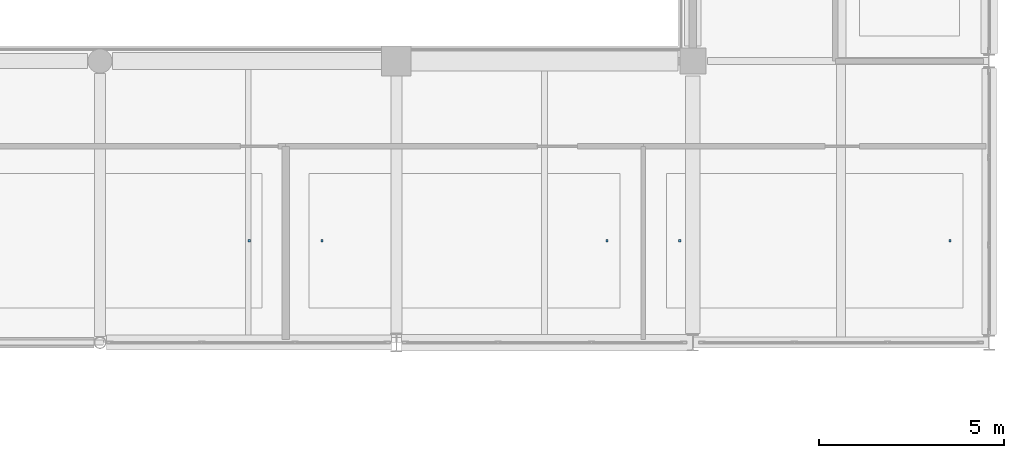
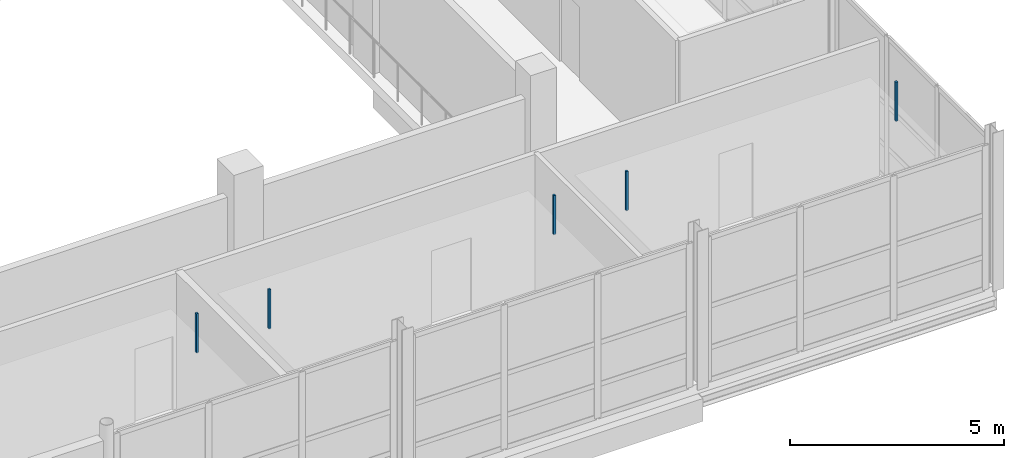
# One storey, part 86 of 107: 5 discrete accessories.
"""IFC4 building model written with IfcOpenShell, lengths in metres."""

import ifcopenshell
import ifcopenshell.guid

model = None  # the IFC model being written
_history = None  # IfcOwnerHistory: only IFC2X3 demands one
_inside = {}  # id of a spatial element -> (the spatial element, [elements in it])
_under = {}  # id of a project, library or spatial element -> (it, [spatial elements below it])
_declared = {}  # id of a project -> (the project, [libraries it declares])
_typed = {}  # id of a type object -> (the type object, [elements of that type])
_made_of = {}  # id of a material, layer set ... -> (it, [elements and type objects made of it])


def new_model(schema):
    """Start an empty IFC model of exactly this schema.

    Asked for "IFC4X3", IfcOpenShell would pick the latest addendum, in which some entities
    have other attributes; the version numbers below select the first issue.
    IFC2X3 requires an IfcOwnerHistory on every rooted entity: one is made here for all.
    """
    global model, _history
    if schema == "IFC4X3":
        model = ifcopenshell.file(schema_version=(4, 3, 0, 0))
    else:
        model = ifcopenshell.file(schema=schema)
    _inside.clear()
    _under.clear()
    _declared.clear()
    _typed.clear()
    _made_of.clear()
    _history = None
    if model.schema == "IFC2X3":
        org = make("IfcOrganization", Name="unknown")
        user = make(
            "IfcPersonAndOrganization",
            ThePerson=make("IfcPerson", FamilyName="unknown"),
            TheOrganization=org,
        )
        app = make(
            "IfcApplication",
            ApplicationDeveloper=org,
            Version="unknown",
            ApplicationFullName="unknown",
            ApplicationIdentifier="unknown",
        )
        _history = make(
            "IfcOwnerHistory",
            OwningUser=user,
            OwningApplication=app,
            ChangeAction="ADDED",
            CreationDate=0,
        )
    return model


def make(cls, **values):
    """One entity of the class cls with the attributes given. An attribute that is None is left unset."""
    return model.create_entity(
        cls, **{name: value for name, value in values.items() if value is not None}
    )


def rooted(cls, **values):
    """An entity with a GlobalId (a new one), such as an element, a storey or a relation."""
    return make(cls, GlobalId=ifcopenshell.guid.new(), OwnerHistory=_history, **values)


def si_unit(unit_type, name, prefix=None):
    """IfcSIUnit, for example si_unit("LENGTHUNIT", "METRE", prefix="MILLI")."""
    return make("IfcSIUnit", UnitType=unit_type, Prefix=prefix, Name=name)


def assignment(units):
    """IfcUnitAssignment: the units of a project."""
    return None if units is None else make("IfcUnitAssignment", Units=units)


def point(xyz):
    """IfcCartesianPoint."""
    return None if xyz is None else make("IfcCartesianPoint", Coordinates=xyz)


def direction(xyz):
    """IfcDirection."""
    return None if xyz is None else make("IfcDirection", DirectionRatios=xyz)


def frame(location, z_axis=None, x_axis=None):
    """IfcAxis2Placement3D, a coordinate frame: its origin and axes. An axis left out is left unset."""
    return make(
        "IfcAxis2Placement3D",
        Location=point(location),
        Axis=direction(z_axis),
        RefDirection=direction(x_axis),
    )


def frame_2d(location, x_axis=None):
    """IfcAxis2Placement2D, a coordinate frame in the plane: its origin and x axis."""
    return make(
        "IfcAxis2Placement2D", Location=point(location), RefDirection=direction(x_axis)
    )


def origin():
    """The frame at (0, 0, 0) with its axes left unset."""
    return frame((0.0, 0.0, 0.0))


def origin_2d():
    """The frame at (0, 0) in the plane with its x axis left unset."""
    return frame_2d((0.0, 0.0))


def place(relative_to, where):
    """IfcLocalPlacement: puts the frame where relative to a parent placement (None: the world)."""
    return make(
        "IfcLocalPlacement", PlacementRelTo=relative_to, RelativePlacement=where
    )


def context(
    kind, dimensions, precision=None, world=None, true_north=None, identifier=None
):
    """IfcGeometricRepresentationContext, for example the 3D "Model" context."""
    return make(
        "IfcGeometricRepresentationContext",
        ContextIdentifier=identifier,
        ContextType=kind,
        CoordinateSpaceDimension=dimensions,
        Precision=precision,
        WorldCoordinateSystem=world,
        TrueNorth=true_north,
    )


def subcontext(parent, identifier, kind, view, scale=None):
    """IfcGeometricRepresentationSubContext, for example "Body" below "Model"."""
    return make(
        "IfcGeometricRepresentationSubContext",
        ContextIdentifier=identifier,
        ContextType=kind,
        ParentContext=parent,
        TargetScale=scale,
        TargetView=view,
    )


def project(units=None, contexts=None):
    """IfcProject with its units and contexts."""
    return rooted(
        "IfcProject",
        Name="project",
        RepresentationContexts=contexts,
        UnitsInContext=assignment(units),
    )


def spatial(cls, under=None, at=None, **own):
    """A site, building, storey or space (cls), placed at a placement, below another one or the project."""
    s = rooted(cls, ObjectPlacement=at, **own)
    if under is not None:
        _under.setdefault(under.id(), (under, []))[1].append(s)
    return s


def profile(cls, at=None, kind="AREA", **sizes):
    """A parametric profile (cls). Its sizes go by their IFC names, for example OverallWidth=200.0."""
    return make(cls, ProfileType=kind, Position=at, **sizes)


def rectangle(**sizes):
    """IfcRectangleProfileDef."""
    return profile("IfcRectangleProfileDef", **sizes)


def extrude(swept, where, along, depth):
    """IfcExtrudedAreaSolid: the profile swept, set in the frame where, extruded along a direction by depth."""
    return make(
        "IfcExtrudedAreaSolid",
        SweptArea=swept,
        Position=where,
        ExtrudedDirection=direction(along),
        Depth=depth,
    )


def shape(context_of_items, identifier, shape_type, items):
    """IfcShapeRepresentation: the items that make up one representation, for example the "Body"."""
    return make(
        "IfcShapeRepresentation",
        ContextOfItems=context_of_items,
        RepresentationIdentifier=identifier,
        RepresentationType=shape_type,
        Items=items,
    )


def material(Name=None, Category=None):
    """IfcMaterial."""
    return make("IfcMaterial", Name=Name, Category=Category)


def made_of(thing, what):
    """Note that an element or type object is made of a material, layer set ...; save() writes the relation."""
    if what is not None:
        _made_of.setdefault(what.id(), (what, []))[1].append(thing)
    return thing


def type_object(cls, material=None, **own):
    """A type object (cls), such as IfcWallType, which elements share."""
    return made_of(rooted(cls, **own), material)


def element(
    cls,
    number,
    at=None,
    inside=None,
    cuts=None,
    type_object=None,
    material=None,
    context=None,
    identifier="Body",
    shape_type=None,
    held_by="IfcProductDefinitionShape",
    body=None,
    shapes=None,
    **own,
):
    """One element of the class cls, such as IfcWall. Its Tag is "e" and its number.

    at: its placement. inside: the storey or other place that contains it. cuts: it is an
    opening in that element (IfcRelVoidsElement). A single representation is given by context,
    identifier, shape_type and body (its items); several are given by shapes. held_by: the class
    of the entity that holds the representations. save() writes the other relations.
    """
    e = rooted(cls, Tag="e%d" % number, ObjectPlacement=at, **own)
    if body is not None:
        shapes = [shape(context, identifier, shape_type, body)]
    if shapes is not None:
        e.Representation = make(held_by, Representations=shapes)
    if inside is not None:
        _inside.setdefault(inside.id(), (inside, []))[1].append(e)
    if cuts is not None:
        rooted(
            "IfcRelVoidsElement", RelatingBuildingElement=cuts, RelatedOpeningElement=e
        )
    if type_object is not None:
        _typed.setdefault(type_object.id(), (type_object, []))[1].append(e)
    return made_of(e, material)


def aggregate(whole, parts):
    """IfcRelAggregates: a whole, such as a stair, and the parts it consists of."""
    return rooted("IfcRelAggregates", RelatingObject=whole, RelatedObjects=parts)


def save(model, path):
    """Write the relations noted so far, then the file.

    IfcRelAggregates (storeys below a building ...), IfcRelContainedInSpatialStructure (elements
    in a storey), IfcRelDefinesByType, IfcRelAssociatesMaterial and IfcRelDeclares: one each for
    every whole, place, type object, material and project.
    """
    for whole, parts in _under.values():
        aggregate(whole, parts)
    for where, things in _inside.values():
        rooted(
            "IfcRelContainedInSpatialStructure",
            RelatedElements=things,
            RelatingStructure=where,
        )
    for kind, things in _typed.values():
        rooted("IfcRelDefinesByType", RelatedObjects=things, RelatingType=kind)
    for what, things in _made_of.values():
        rooted("IfcRelAssociatesMaterial", RelatedObjects=things, RelatingMaterial=what)
    for by, libraries in _declared.values():
        rooted("IfcRelDeclares", RelatingContext=by, RelatedDefinitions=libraries)
    model.write(path)


model = new_model("IFC4")

# Units and contexts
model_context = context("Model", 3, precision=1e-05, world=origin(), true_north=direction((0.0, 1.0)))
body_context = subcontext(model_context, "Body", "Model", "MODEL_VIEW")
ifc_project = project(units=[si_unit("LENGTHUNIT", "METRE"), si_unit("AREAUNIT", "SQUARE_METRE"), si_unit("VOLUMEUNIT", "CUBIC_METRE"), si_unit("PLANEANGLEUNIT", "RADIAN"), si_unit("MASSUNIT", "GRAM", prefix="KILO")], contexts=[model_context])

# Site, building, storey
site_placement = place(None, origin())
site = spatial("IfcSite", under=ifc_project, at=site_placement, CompositionType="ELEMENT")
building_placement = place(site_placement, origin())
building = spatial("IfcBuilding", under=site, at=building_placement, Name="Khelvaren Railside Concert Hall", CompositionType="ELEMENT")
storey_placement = place(building_placement, frame((0.0, 0.0, 15.0)))
storey = spatial("IfcBuildingStorey", under=building, at=storey_placement, Name="L03", CompositionType="ELEMENT", Elevation=15.0)

# Discrete accessories
ifc_material = material(Name="Galvanised steel acoustic ceiling hanger rod", Category="steel")
discrete_accessory_type = type_object("IfcDiscreteAccessoryType", Name="BRK62", PredefinedType="BRACKET", material=ifc_material)
for number, where, z_axis, x_axis, name in (
    (1, (164.029052734375, 2.75, 3.429931640625), (0.0, 0.0, 1.0), (1.0, 0.0, 0.0), "Acoustic Ceiling Suspension Bracket 62-2"),
    (2, (165.989013671875, 2.75, 3.429931640625), (0.0, 0.0, 1.0), (1.0, 0.0, 0.0), "Acoustic Ceiling Suspension Bracket 63-1"),
    (3, (173.68603515625, 2.75, 3.429931640625), (0.0, 0.0, 1.0), (1.0, 0.0, 0.0), "Acoustic Ceiling Suspension Bracket 63-2"),
    (4, (175.64599609375, 2.75, 3.429931640625), (0.0, 0.0, 1.0), (1.0, 0.0, 0.0), "Acoustic Ceiling Suspension Bracket 64-1"),
    (5, (182.93994140625, 2.75, 3.429931640625), (0.0, 0.0, 1.0), (1.0, 0.0, 0.0), "Acoustic Ceiling Suspension Bracket 64-2"),
):
    element("IfcDiscreteAccessory", number, at=place(storey_placement, frame(where, z_axis=z_axis, x_axis=x_axis)), inside=storey, type_object=discrete_accessory_type, Name=name, PredefinedType="BRACKET", context=body_context, shape_type="SweptSolid", body=[
        extrude(rectangle(XDim=0.06005859375, YDim=0.06005859375, at=origin_2d()), origin(), (0.0, 0.0, 1.0), 1.1201171875),
    ])

save(model, "model.ifc")
